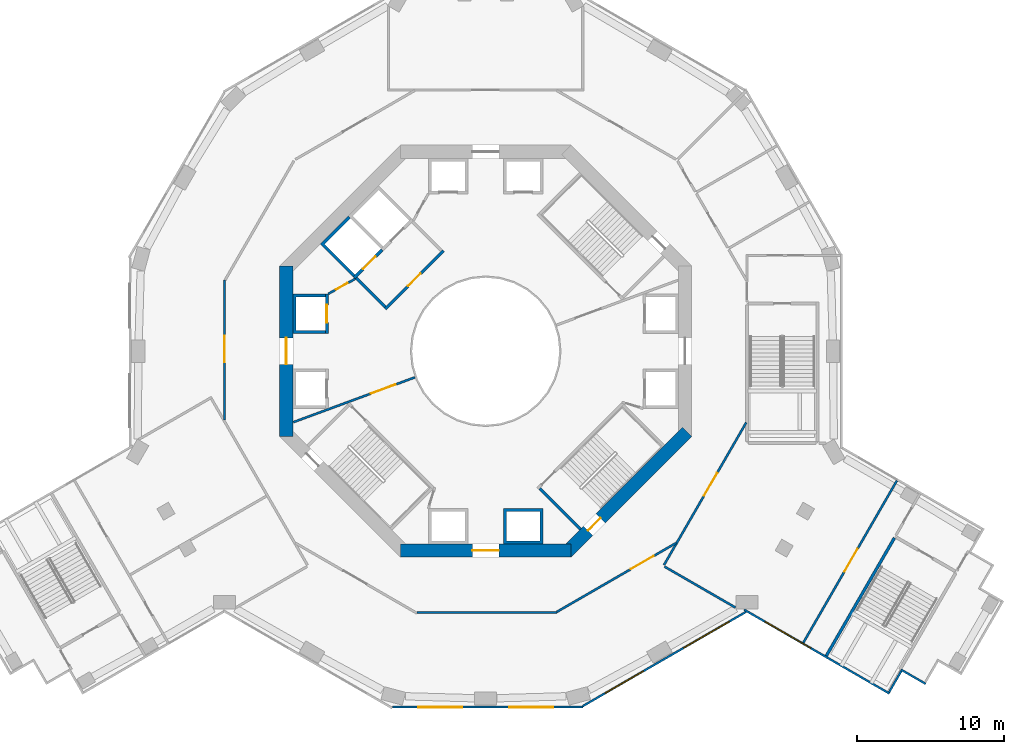
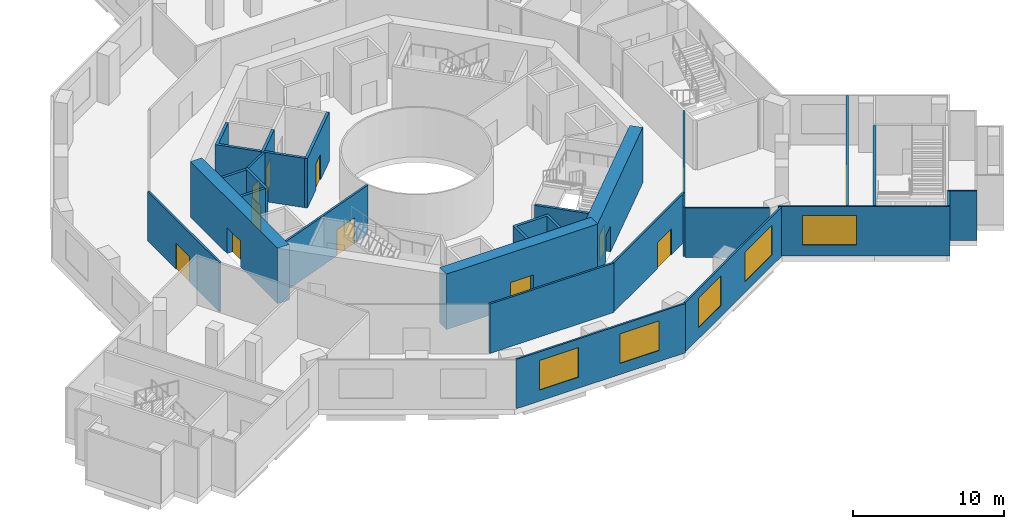
# One storey, part 4 of 20: 25 walls, 12 doors, 5 windows, 17 openings.
"""IFC4 building model written with IfcOpenShell, lengths in metres."""

from ifc_helpers import new_model, si_unit, direction, frame, frame_2d, origin, place, context, subcontext, project, spatial, polyline, rectangle, outline, extrude, material, layer, layer_set, type_object, element, fill, save


model = new_model("IFC4")

# Units and contexts
model_context = context("Model", 3, precision=1e-05, world=origin(), true_north=direction((0.0, 1.0)))
body_context = subcontext(model_context, "Body", "Model", "MODEL_VIEW")
ifc_project = project(units=[si_unit("LENGTHUNIT", "METRE"), si_unit("AREAUNIT", "SQUARE_METRE"), si_unit("VOLUMEUNIT", "CUBIC_METRE"), si_unit("PLANEANGLEUNIT", "RADIAN"), si_unit("MASSUNIT", "GRAM", prefix="KILO")], contexts=[model_context])

# Site, building, storey
site_placement = place(None, origin())
site = spatial("IfcSite", under=ifc_project, at=site_placement, CompositionType="ELEMENT")
building_placement = place(site_placement, origin())
building = spatial("IfcBuilding", under=site, at=building_placement, Name="Verdalira Terraces Hotel", CompositionType="ELEMENT")
storey_placement = place(building_placement, frame((0.0, 0.0, 23.5)))
storey = spatial("IfcBuildingStorey", under=building, at=storey_placement, Name="L04", CompositionType="ELEMENT", Elevation=23.5)

# Wall
ifc_material_1 = material(Name="Concrete C50", Category="concrete")
ifc_layer_1 = layer(ifc_material_1, 0.199951171875)
ifc_layer_set_1 = layer_set([ifc_layer_1], Name="Core RC wall 200 C50")
wall_type_1 = type_object("IfcWallType", Name="Core RC wall 200 C50", PredefinedType="SOLIDWALL", material=ifc_layer_set_1)
wall_1_placement = place(storey_placement, origin())
element("IfcWall", 1, at=wall_1_placement, inside=storey, type_object=wall_type_1, Name="L04 shaft wall W1", PredefinedType="SOLIDWALL", context=body_context, shape_type="SweptSolid", body=[
    extrude(outline(polyline([(-13.100098, 3.899902), (-10.899902, 3.899902), (-10.899902, 3.699951), (-12.899902, 3.699951), (-12.899902, 1.399902), (-10.899902, 1.399902), (-10.899902, 1.199951), (-13.100098, 1.199951), (-13.100098, 3.899902)])), origin(), (0.0, 0.0, 1.0), 4.0),
])

# Wall, opening, door
wall_2_placement = place(storey_placement, frame((-10.800049, 1.199951, 0.0), z_axis=(0.0, 0.0, 1.0), x_axis=(0.0, 1.0, 0.0)))
wall_2 = element("IfcWall", 2, at=wall_2_placement, inside=storey, type_object=wall_type_1, Name="L04 shaft front wall W1", PredefinedType="SOLIDWALL", context=body_context, shape_type="SweptSolid", body=[
    extrude(rectangle(XDim=2.699951, YDim=0.199951, at=frame_2d((1.350098, 0.0))), origin(), (0.0, 0.0, 1.0), 4.0),
])
opening_1_placement = place(wall_2_placement, frame((0.75, 0.0, 0.0)))
opening_1 = element("IfcOpeningElement", 3, at=opening_1_placement, cuts=wall_2, Name="Opening LD-L04-805", PredefinedType="OPENING", context=body_context, shape_type="SweptSolid", body=[
    extrude(rectangle(XDim=1.199951, YDim=2.100098, at=frame_2d((0.600098, 1.050049))), frame((0.0, 0.109863, 0.0), z_axis=(0.0, -1.0, 0.0), x_axis=(1.0, 0.0, 0.0)), (0.0, 0.0, 1.0), 0.219971),
])
ifc_material_2 = material(Name="Stainless steel", Category="steel")
door_type_1 = type_object("IfcDoorType", Name="Landing door 1200 x 2100", OperationType="NOTDEFINED", PredefinedType="DOOR", material=ifc_material_2)
door_1_placement = place(opening_1_placement, origin())
door_1 = element("IfcDoor", 4, at=door_1_placement, inside=storey, type_object=door_type_1, Name="Lift landing door LR5 L04", OperationType="DOUBLE_DOOR_SLIDING", OverallHeight=2.10009765625, OverallWidth=1.199951171875, PredefinedType="DOOR", context=body_context, shape_type="SweptSolid", body=[
    extrude(rectangle(XDim=1.199951, YDim=2.100098, at=frame_2d((0.600098, 1.050049))), frame((0.0, 0.024902, 0.0), z_axis=(0.0, -1.0, 0.0), x_axis=(1.0, 0.0, 0.0)), (0.0, 0.0, 1.0), 0.050049),
])
fill(opening_1, door_1)

# Walls
wall_3_placement = place(storey_placement, origin())
element("IfcWall", 5, at=wall_3_placement, inside=storey, type_object=wall_type_1, Name="L04 shaft wall S2", PredefinedType="SOLIDWALL", context=body_context, shape_type="SweptSolid", body=[
    extrude(outline(polyline([(3.899902, -10.699951), (3.899902, -13.100098), (1.199951, -13.100098), (1.199951, -10.699951), (3.899902, -10.699951)]), holes=[polyline([(1.399902, -12.899902), (3.699951, -12.899902), (3.699951, -10.899902), (1.399902, -10.899902), (1.399902, -12.899902)])]), origin(), (0.0, 0.0, 1.0), 4.0),
])
wall_4_placement = place(storey_placement, origin())
element("IfcWall", 6, at=wall_4_placement, inside=storey, type_object=wall_type_1, Name="L04 shaft wall F2", PredefinedType="SOLIDWALL", context=body_context, shape_type="SweptSolid", body=[
    extrude(outline(polyline([(-11.24292, 7.283203), (-9.33374, 9.192383), (-9.192383, 9.051025), (-10.960205, 7.283203), (-8.874268, 5.197266), (-9.015625, 5.055908), (-11.24292, 7.283203)])), origin(), (0.0, 0.0, 1.0), 4.0),
])

# Wall, opening, door
wall_5_placement = place(storey_placement, frame((-7.035645, 6.894287, 0.0), z_axis=(0.0, 0.0, 1.0), x_axis=(-0.707106781, -0.707106781, 0.0)))
wall_5 = element("IfcWall", 7, at=wall_5_placement, inside=storey, type_object=wall_type_1, Name="L04 shaft front wall F2", PredefinedType="SOLIDWALL", context=body_context, shape_type="SweptSolid", body=[
    extrude(rectangle(XDim=2.699951, YDim=0.199951, at=frame_2d((1.350098, 0.0))), origin(), (0.0, 0.0, 1.0), 4.0),
])
opening_2_placement = place(wall_5_placement, frame((0.649902, 0.0, 0.0)))
opening_2 = element("IfcOpeningElement", 8, at=opening_2_placement, cuts=wall_5, Name="Opening LD-L04-808", PredefinedType="OPENING", context=body_context, shape_type="SweptSolid", body=[
    extrude(rectangle(XDim=1.199951, YDim=2.100098, at=frame_2d((0.600098, 1.050049))), frame((0.0, 0.109863, 0.0), z_axis=(0.0, -1.0, 0.0), x_axis=(1.0, 0.0, 0.0)), (0.0, 0.0, 1.0), 0.219971),
])
door_2_placement = place(opening_2_placement, origin())
door_2 = element("IfcDoor", 9, at=door_2_placement, inside=storey, type_object=door_type_1, Name="Lift landing door LF12 L04", OperationType="DOUBLE_DOOR_SLIDING", OverallHeight=2.10009765625, OverallWidth=1.199951171875, PredefinedType="DOOR", context=body_context, shape_type="SweptSolid", body=[
    extrude(rectangle(XDim=1.199951, YDim=2.100098, at=frame_2d((0.600098, 1.050049))), frame((0.0, 0.024902, 0.0), z_axis=(0.0, -1.0, 0.0), x_axis=(1.0, 0.0, 0.0)), (0.0, 0.0, 1.0), 0.050049),
])
fill(opening_2, door_2)

# Wall
wall_6_placement = place(storey_placement, frame((3.677002, -9.33374, 0.0), z_axis=(0.0, 0.0, 1.0), x_axis=(0.707106781, -0.707106781, 0.0)))
element("IfcWall", 10, at=wall_6_placement, inside=storey, type_object=wall_type_1, Name="L04 stair ST3 end wall 1", PredefinedType="SOLIDWALL", context=body_context, shape_type="SweptSolid", body=[
    extrude(rectangle(XDim=3.900146, YDim=0.199951, at=frame_2d((1.950195, 0.0))), origin(), (0.0, 0.0, 1.0), 4.0),
])

# Wall, opening, door
wall_7_placement = place(storey_placement, frame((-2.86377, 6.823486, 0.0), z_axis=(0.0, 0.0, 1.0), x_axis=(-0.707106781, -0.707106781, 0.0)))
wall_7 = element("IfcWall", 11, at=wall_7_placement, inside=storey, type_object=wall_type_1, Name="L04 fire lobby wall", PredefinedType="SOLIDWALL", context=body_context, shape_type="SweptSolid", body=[
    extrude(rectangle(XDim=5.599854, YDim=0.199951, at=frame_2d((2.799805, 0.0))), origin(), (0.0, 0.0, 1.0), 4.0),
])
opening_3_placement = place(wall_7_placement, frame((2.199951, 0.0, 0.0)))
opening_3 = element("IfcOpeningElement", 12, at=opening_3_placement, cuts=wall_7, Name="Opening L04-819", PredefinedType="OPENING", context=body_context, shape_type="SweptSolid", body=[
    extrude(rectangle(XDim=1.199951, YDim=2.100098, at=frame_2d((0.600098, 1.050049))), frame((0.0, 0.109863, 0.0), z_axis=(0.0, -1.0, 0.0), x_axis=(1.0, 0.0, 0.0)), (0.0, 0.0, 1.0), 0.219971),
])
ifc_material_3 = material(Name="Steel fire door", Category="steel")
door_type_2 = type_object("IfcDoorType", Name="Lobby door 1200 x 2100", OperationType="NOTDEFINED", PredefinedType="DOOR", material=ifc_material_3)
door_3_placement = place(opening_3_placement, origin())
door_3 = element("IfcDoor", 13, at=door_3_placement, inside=storey, type_object=door_type_2, Name="Fire lobby door L04", OperationType="SINGLE_SWING_LEFT", OverallHeight=2.10009765625, OverallWidth=1.199951171875, PredefinedType="DOOR", context=body_context, shape_type="SweptSolid", body=[
    extrude(rectangle(XDim=1.199951, YDim=2.100098, at=frame_2d((0.600098, 1.050049))), frame((0.0, 0.024902, 0.0), z_axis=(0.0, -1.0, 0.0), x_axis=(1.0, 0.0, 0.0)), (0.0, 0.0, 1.0), 0.050049),
])
fill(opening_3, door_3)

# Wall
wall_8_placement = place(storey_placement, frame((-6.823486, 3.005127, 0.0), z_axis=(0.0, 0.0, 1.0), x_axis=(-0.707106781, 0.707106781, 0.0)))
element("IfcWall", 14, at=wall_8_placement, inside=storey, type_object=wall_type_1, Name="L04 fire lobby wall", PredefinedType="SOLIDWALL", context=body_context, shape_type="SweptSolid", body=[
    extrude(rectangle(XDim=2.800049, YDim=0.199951, at=frame_2d((1.399902, 0.0))), origin(), (0.0, 0.0, 1.0), 4.0),
])

# Wall, opening, door
ifc_material_4 = material(Name="Gypsum board partition")
ifc_layer_2 = layer(ifc_material_4, 0.14990234375)
ifc_layer_set_2 = layer_set([ifc_layer_2], Name="Core partition 150 mm")
wall_type_2 = type_object("IfcWallType", Name="Core partition 150 mm", PredefinedType="PARTITIONING", material=ifc_layer_set_2)
wall_9_placement = place(storey_placement, frame((-8.874268, 4.914307, 0.0), z_axis=(0.0, 0.0, 1.0), x_axis=(-0.874129705, -0.485692555, 0.0)))
wall_9 = element("IfcWall", 15, at=wall_9_placement, inside=storey, type_object=wall_type_2, Name="Room partition L04", PredefinedType="PARTITIONING", context=body_context, shape_type="SweptSolid", body=[
    extrude(rectangle(XDim=2.088623, YDim=0.149902, at=frame_2d((1.044434, 0.0))), origin(), (0.0, 0.0, 1.0), 4.0),
])
opening_4_placement = place(wall_9_placement, frame((0.594238, 0.0, 0.0)))
opening_4 = element("IfcOpeningElement", 16, at=opening_4_placement, cuts=wall_9, Name="Opening L04-821", PredefinedType="OPENING", context=body_context, shape_type="SweptSolid", body=[
    extrude(rectangle(XDim=0.899902, YDim=2.100098, at=frame_2d((0.449951, 1.050049))), frame((0.0, 0.084961, 0.0), z_axis=(0.0, -1.0, 0.0), x_axis=(1.0, 0.0, 0.0)), (0.0, 0.0, 1.0), 0.169922),
])
ifc_material_5 = material(Name="Steel fire door", Category="steel")
door_type_3 = type_object("IfcDoorType", Name="Core room door 900 x 2100", OperationType="NOTDEFINED", PredefinedType="DOOR", material=ifc_material_5)
door_4_placement = place(opening_4_placement, origin())
door_4 = element("IfcDoor", 17, at=door_4_placement, inside=storey, type_object=door_type_3, Name="Door L04 room3", OperationType="SINGLE_SWING_LEFT", OverallHeight=2.10009765625, OverallWidth=0.89990234375, PredefinedType="DOOR", context=body_context, shape_type="SweptSolid", body=[
    extrude(rectangle(XDim=0.899902, YDim=2.100098, at=frame_2d((0.449951, 1.050049))), frame((0.0, 0.024902, 0.0), z_axis=(0.0, -1.0, 0.0), x_axis=(1.0, 0.0, 0.0)), (0.0, 0.0, 1.0), 0.050049),
])
fill(opening_4, door_4)

wall_10_placement = place(storey_placement, frame((-4.812988, -1.775635, 0.0), z_axis=(0.0, 0.0, 1.0), x_axis=(-0.93819293, -0.346112737, 0.0)))
wall_10 = element("IfcWall", 18, at=wall_10_placement, inside=storey, type_object=wall_type_2, Name="Gallery fire partition L04", PredefinedType="PARTITIONING", context=body_context, shape_type="SweptSolid", body=[
    extrude(rectangle(XDim=8.803223, YDim=0.149902, at=frame_2d((4.401611, 0.0))), origin(), (0.0, 0.0, 1.0), 4.0),
])
opening_5_placement = place(wall_10_placement, frame((1.399902, 0.0, 0.0)))
opening_5 = element("IfcOpeningElement", 19, at=opening_5_placement, cuts=wall_10, Name="Opening L04-825", PredefinedType="OPENING", context=body_context, shape_type="SweptSolid", body=[
    extrude(rectangle(XDim=1.800049, YDim=2.100098, at=frame_2d((0.899902, 1.050049))), frame((0.0, 0.084961, 0.0), z_axis=(0.0, -1.0, 0.0), x_axis=(1.0, 0.0, 0.0)), (0.0, 0.0, 1.0), 0.169922),
])
ifc_material_6 = material(Name="Steel fire door", Category="steel")
door_type_4 = type_object("IfcDoorType", Name="Gallery fire door pair 1800 x 2100", OperationType="NOTDEFINED", PredefinedType="DOOR", material=ifc_material_6)
door_5_placement = place(opening_5_placement, origin())
door_5 = element("IfcDoor", 20, at=door_5_placement, inside=storey, type_object=door_type_4, Name="Door L04 split4", OperationType="DOUBLE_DOOR_SINGLE_SWING", OverallHeight=2.10009765625, OverallWidth=1.800048828125, PredefinedType="DOOR", context=body_context, shape_type="SweptSolid", body=[
    extrude(rectangle(XDim=1.800049, YDim=2.100098, at=frame_2d((0.899902, 1.050049))), frame((0.0, 0.024902, 0.0), z_axis=(0.0, -1.0, 0.0), x_axis=(1.0, 0.0, 0.0)), (0.0, 0.0, 1.0), 0.050049),
])
fill(opening_5, door_5)

ifc_material_7 = material(Name="Concrete C70", Category="concrete")
ifc_layer_3 = layer(ifc_material_7, 0.89990234375)
ifc_layer_set_3 = layer_set([ifc_layer_3], Name="Core wall 900 C70")
wall_type_3 = type_object("IfcWallType", Name="Core wall 900 C70", PredefinedType="SHEAR", material=ifc_layer_set_3)
wall_11_placement = place(storey_placement, frame((-13.550049, 5.799072, 0.0), z_axis=(0.0, 0.0, 1.0), x_axis=(0.0, -1.0, 0.0)))
wall_11 = element("IfcWall", 21, at=wall_11_placement, inside=storey, type_object=wall_type_3, Name="Core wall CW-L04-5", PredefinedType="SHEAR", context=body_context, shape_type="SweptSolid", body=[
    extrude(rectangle(XDim=11.598145, YDim=0.899902, at=frame_2d((5.799072, 0.0))), origin(), (0.0, 0.0, 1.0), 4.5),
])
opening_6_placement = place(wall_11_placement, frame((4.898926, 0.0, 0.0)))
opening_6 = element("IfcOpeningElement", 22, at=opening_6_placement, cuts=wall_11, Name="Opening L04-814", PredefinedType="OPENING", context=body_context, shape_type="SweptSolid", body=[
    extrude(rectangle(XDim=1.800049, YDim=2.100098, at=frame_2d((0.899902, 1.050049))), frame((0.0, 0.459961, 0.0), z_axis=(0.0, -1.0, 0.0), x_axis=(1.0, 0.0, 0.0)), (0.0, 0.0, 1.0), 0.919922),
])
ifc_material_8 = material(Name="Steel fire door", Category="steel")
door_type_5 = type_object("IfcDoorType", Name="Core entry door pair 1800 x 2100", OperationType="NOTDEFINED", PredefinedType="DOOR", material=ifc_material_8)
door_6_placement = place(opening_6_placement, origin())
door_6 = element("IfcDoor", 23, at=door_6_placement, inside=storey, type_object=door_type_5, Name="Core entry door L04 4", OperationType="DOUBLE_DOOR_SINGLE_SWING", OverallHeight=2.10009765625, OverallWidth=1.800048828125, PredefinedType="DOOR", context=body_context, shape_type="SweptSolid", body=[
    extrude(rectangle(XDim=1.800049, YDim=2.100098, at=frame_2d((0.899902, 1.050049))), frame((0.0, 0.024902, 0.0), z_axis=(0.0, -1.0, 0.0), x_axis=(1.0, 0.0, 0.0)), (0.0, 0.0, 1.0), 0.050049),
])
fill(opening_6, door_6)

wall_12_placement = place(storey_placement, frame((-5.799072, -13.550049, 0.0), z_axis=(0.0, 0.0, 1.0), x_axis=(1.0, 0.0, 0.0)))
wall_12 = element("IfcWall", 24, at=wall_12_placement, inside=storey, type_object=wall_type_3, Name="Core wall CW-L04-7", PredefinedType="SHEAR", context=body_context, shape_type="SweptSolid", body=[
    extrude(rectangle(XDim=11.598145, YDim=0.899902, at=frame_2d((5.799072, 0.0))), origin(), (0.0, 0.0, 1.0), 4.5),
])
opening_7_placement = place(wall_12_placement, frame((4.898926, 0.0, 0.0)))
opening_7 = element("IfcOpeningElement", 25, at=opening_7_placement, cuts=wall_12, Name="Opening L04-815", PredefinedType="OPENING", context=body_context, shape_type="SweptSolid", body=[
    extrude(rectangle(XDim=1.800049, YDim=2.100098, at=frame_2d((0.899902, 1.050049))), frame((0.0, 0.459961, 0.0), z_axis=(0.0, -1.0, 0.0), x_axis=(1.0, 0.0, 0.0)), (0.0, 0.0, 1.0), 0.919922),
])
door_7_placement = place(opening_7_placement, origin())
door_7 = element("IfcDoor", 26, at=door_7_placement, inside=storey, type_object=door_type_5, Name="Core entry door L04 6", OperationType="DOUBLE_DOOR_SINGLE_SWING", OverallHeight=2.10009765625, OverallWidth=1.800048828125, PredefinedType="DOOR", context=body_context, shape_type="SweptSolid", body=[
    extrude(rectangle(XDim=1.800049, YDim=2.100098, at=frame_2d((0.899902, 1.050049))), frame((0.0, 0.024902, 0.0), z_axis=(0.0, -1.0, 0.0), x_axis=(1.0, 0.0, 0.0)), (0.0, 0.0, 1.0), 0.050049),
])
fill(opening_7, door_7)

wall_13_placement = place(storey_placement, frame((5.480713, -13.681885, 0.0), z_axis=(0.0, 0.0, 1.0), x_axis=(0.707106781, 0.707106781, 0.0)))
wall_13 = element("IfcWall", 27, at=wall_13_placement, inside=storey, type_object=wall_type_3, Name="Core wall CW-L04-8", PredefinedType="SHEAR", context=body_context, shape_type="SweptSolid", body=[
    extrude(rectangle(XDim=11.598145, YDim=0.899902, at=frame_2d((5.799072, 0.0))), origin(), (0.0, 0.0, 1.0), 4.5),
])
opening_8_placement = place(wall_13_placement, frame((2.099121, 0.0, 0.0)))
opening_8 = element("IfcOpeningElement", 28, at=opening_8_placement, cuts=wall_13, Name="Opening L04-818", PredefinedType="OPENING", context=body_context, shape_type="SweptSolid", body=[
    extrude(rectangle(XDim=1.199951, YDim=2.100098, at=frame_2d((0.600098, 1.050049))), frame((0.0, 0.459961, 0.0), z_axis=(0.0, -1.0, 0.0), x_axis=(1.0, 0.0, 0.0)), (0.0, 0.0, 1.0), 0.919922),
])
ifc_material_9 = material(Name="Steel fire door", Category="steel")
door_type_6 = type_object("IfcDoorType", Name="Stair door 1200 x 2100", OperationType="NOTDEFINED", PredefinedType="DOOR", material=ifc_material_9)
door_8_placement = place(opening_8_placement, origin())
door_8 = element("IfcDoor", 29, at=door_8_placement, inside=storey, type_object=door_type_6, Name="Stair exit door ST3 L04", OperationType="SINGLE_SWING_LEFT", OverallHeight=2.10009765625, OverallWidth=1.199951171875, PredefinedType="DOOR", context=body_context, shape_type="SweptSolid", body=[
    extrude(rectangle(XDim=1.199951, YDim=2.100098, at=frame_2d((0.600098, 1.050049))), frame((0.0, 0.024902, 0.0), z_axis=(0.0, -1.0, 0.0), x_axis=(1.0, 0.0, 0.0)), (0.0, 0.0, 1.0), 0.050049),
])
fill(opening_8, door_8)

ifc_material_10 = material(Name="Gypsum board partition on steel stud", Category="steel")
ifc_layer_4 = layer(ifc_material_10, 0.14990234375)
ifc_layer_set_4 = layer_set([ifc_layer_4], Name="Fire-rated partition 150 mm")
wall_type_4 = type_object("IfcWallType", Name="Fire-rated partition 150 mm", PredefinedType="PARTITIONING", material=ifc_layer_set_4)
wall_14_placement = place(storey_placement, frame((-17.758301, 4.833252, 0.0), z_axis=(0.0, 0.0, 1.0), x_axis=(0.0, -1.0, 0.0)))
wall_14 = element("IfcWall", 30, at=wall_14_placement, inside=storey, type_object=wall_type_4, Name="Partition", PredefinedType="PARTITIONING", context=body_context, shape_type="SweptSolid", body=[
    extrude(rectangle(XDim=9.516602, YDim=0.149902, at=frame_2d((4.758301, 0.0))), origin(), (0.0, 0.0, 1.0), 4.0),
])
opening_9_placement = place(wall_14_placement, frame((3.766602, 0.0, 0.0)))
opening_9 = element("IfcOpeningElement", 31, at=opening_9_placement, cuts=wall_14, Name="Opening L04-D06", PredefinedType="OPENING", context=body_context, shape_type="SweptSolid", body=[
    extrude(rectangle(XDim=1.800049, YDim=2.100098, at=frame_2d((0.899902, 1.050049))), frame((0.0, 0.084961, 0.0), z_axis=(0.0, -1.0, 0.0), x_axis=(1.0, 0.0, 0.0)), (0.0, 0.0, 1.0), 0.169922),
])
ifc_material_11 = material(Name="Steel fire door", Category="steel")
door_type_7 = type_object("IfcDoorType", Name="Fire door pair 1800 x 2100", OperationType="DOUBLE_DOOR_SINGLE_SWING", PredefinedType="DOOR", material=ifc_material_11)
door_9_placement = place(opening_9_placement, origin())
door_9 = element("IfcDoor", 32, at=door_9_placement, inside=storey, type_object=door_type_7, Name="Ring corridor door", OperationType="DOUBLE_DOOR_SINGLE_SWING", OverallHeight=2.10009765625, OverallWidth=1.800048828125, PredefinedType="DOOR", context=body_context, shape_type="SweptSolid", body=[
    extrude(rectangle(XDim=1.800049, YDim=2.100098, at=frame_2d((0.899902, 1.050049))), frame((0.0, 0.024902, 0.0), z_axis=(0.0, -1.0, 0.0), x_axis=(1.0, 0.0, 0.0)), (0.0, 0.0, 1.0), 0.050049),
])
fill(opening_9, door_9)

# Walls
wall_15_placement = place(storey_placement, frame((4.833252, -17.758301, 0.0), z_axis=(0.0, 0.0, 1.0), x_axis=(-1.0, 0.0, 0.0)))
element("IfcWall", 33, at=wall_15_placement, inside=storey, type_object=wall_type_4, Name="Partition", PredefinedType="PARTITIONING", context=body_context, shape_type="SweptSolid", body=[
    extrude(rectangle(XDim=9.516602, YDim=0.149902, at=frame_2d((4.758301, 0.0))), origin(), (0.0, 0.0, 1.0), 4.0),
])
wall_16_placement = place(storey_placement, frame((12.144287, -14.632568, 0.0), z_axis=(0.0, 0.0, 1.0), x_axis=(0.866016603, -0.500015243, 0.0)))
element("IfcWall", 34, at=wall_16_placement, inside=storey, type_object=wall_type_4, Name="Partition", PredefinedType="PARTITIONING", context=body_context, shape_type="SweptSolid", body=[
    extrude(rectangle(XDim=5.581787, YDim=0.149902, at=frame_2d((2.791016, 0.0))), origin(), (0.0, 0.0, 1.0), 4.0),
])

# Wall, opening, door
wall_17_placement = place(storey_placement, frame((4.823242, -17.720703, 0.0), z_axis=(0.0, 0.0, 1.0), x_axis=(0.866037142, 0.499979668, 0.0)))
wall_17 = element("IfcWall", 35, at=wall_17_placement, inside=storey, type_object=wall_type_4, Name="Partition", PredefinedType="PARTITIONING", context=body_context, shape_type="SweptSolid", body=[
    extrude(rectangle(XDim=9.366699, YDim=0.149902, at=frame_2d((4.68335, 0.0))), origin(), (0.0, 0.0, 1.0), 4.0),
])
opening_10_placement = place(wall_17_placement, frame((5.81665, 0.0, 0.0)))
opening_10 = element("IfcOpeningElement", 36, at=opening_10_placement, cuts=wall_17, Name="Opening L04-D15", PredefinedType="OPENING", context=body_context, shape_type="SweptSolid", body=[
    extrude(rectangle(XDim=1.800049, YDim=2.100098, at=frame_2d((0.899902, 1.050049))), frame((0.0, 0.084961, 0.0), z_axis=(0.0, -1.0, 0.0), x_axis=(1.0, 0.0, 0.0)), (0.0, 0.0, 1.0), 0.169922),
])
door_10_placement = place(opening_10_placement, origin())
door_10 = element("IfcDoor", 37, at=door_10_placement, inside=storey, type_object=door_type_7, Name="Ring corridor door", OperationType="DOUBLE_DOOR_SINGLE_SWING", OverallHeight=2.10009765625, OverallWidth=1.800048828125, PredefinedType="DOOR", context=body_context, shape_type="SweptSolid", body=[
    extrude(rectangle(XDim=1.800049, YDim=2.100098, at=frame_2d((0.899902, 1.050049))), frame((0.0, 0.024902, 0.0), z_axis=(0.0, -1.0, 0.0), x_axis=(1.0, 0.0, 0.0)), (0.0, 0.0, 1.0), 0.050049),
])
fill(opening_10, door_10)

wall_18_placement = place(storey_placement, frame((12.116699, -14.529785, 0.0), z_axis=(0.0, 0.0, 1.0), x_axis=(0.500001509, 0.866024532, 0.0)))
wall_18 = element("IfcWall", 38, at=wall_18_placement, inside=storey, type_object=wall_type_4, Name="Partition", PredefinedType="PARTITIONING", context=body_context, shape_type="SweptSolid", body=[
    extrude(rectangle(XDim=11.183105, YDim=0.149902, at=frame_2d((5.591553, 0.0))), origin(), (0.0, 0.0, 1.0), 4.0),
])
opening_11_placement = place(wall_18_placement, frame((5.433105, 0.0, 0.0)))
opening_11 = element("IfcOpeningElement", 39, at=opening_11_placement, cuts=wall_18, Name="Opening L04-D18", PredefinedType="OPENING", context=body_context, shape_type="SweptSolid", body=[
    extrude(rectangle(XDim=1.800049, YDim=2.100098, at=frame_2d((0.899902, 1.050049))), frame((0.0, 0.084961, 0.0), z_axis=(0.0, -1.0, 0.0), x_axis=(1.0, 0.0, 0.0)), (0.0, 0.0, 1.0), 0.169922),
])
door_11_placement = place(opening_11_placement, origin())
door_11 = element("IfcDoor", 40, at=door_11_placement, inside=storey, type_object=door_type_7, Name="Ring corridor door", OperationType="DOUBLE_DOOR_SINGLE_SWING", OverallHeight=2.10009765625, OverallWidth=1.800048828125, PredefinedType="DOOR", context=body_context, shape_type="SweptSolid", body=[
    extrude(rectangle(XDim=1.800049, YDim=2.100098, at=frame_2d((0.899902, 1.050049))), frame((0.0, 0.024902, 0.0), z_axis=(0.0, -1.0, 0.0), x_axis=(1.0, 0.0, 0.0)), (0.0, 0.0, 1.0), 0.050049),
])
fill(opening_11, door_11)

wall_19_placement = place(storey_placement, frame((27.948242, -8.791992, 0.0), z_axis=(0.0, 0.0, 1.0), x_axis=(-0.499991053, -0.866030569, 0.0)))
wall_19 = element("IfcWall", 41, at=wall_19_placement, inside=storey, type_object=wall_type_4, Name="Partition", PredefinedType="PARTITIONING", context=body_context, shape_type="SweptSolid", body=[
    extrude(rectangle(XDim=12.719971, YDim=0.149902, at=frame_2d((6.359863, 0.0))), origin(), (0.0, 0.0, 1.0), 4.0),
])
opening_12_placement = place(wall_19_placement, frame((5.350098, 0.0, 0.0)))
opening_12 = element("IfcOpeningElement", 42, at=opening_12_placement, cuts=wall_19, Name="Opening L04-D23", PredefinedType="OPENING", context=body_context, shape_type="SweptSolid", body=[
    extrude(rectangle(XDim=1.800049, YDim=2.100098, at=frame_2d((0.899902, 1.050049))), frame((0.0, 0.084961, 0.0), z_axis=(0.0, -1.0, 0.0), x_axis=(1.0, 0.0, 0.0)), (0.0, 0.0, 1.0), 0.169922),
])
door_12_placement = place(opening_12_placement, origin())
door_12 = element("IfcDoor", 43, at=door_12_placement, inside=storey, type_object=door_type_7, Name="Stair approach corridor door", OperationType="DOUBLE_DOOR_SINGLE_SWING", OverallHeight=2.10009765625, OverallWidth=1.800048828125, PredefinedType="DOOR", context=body_context, shape_type="SweptSolid", body=[
    extrude(rectangle(XDim=1.800049, YDim=2.100098, at=frame_2d((0.899902, 1.050049))), frame((0.0, 0.024902, 0.0), z_axis=(0.0, -1.0, 0.0), x_axis=(1.0, 0.0, 0.0)), (0.0, 0.0, 1.0), 0.050049),
])
fill(opening_12, door_12)

# Wall
ifc_material_12 = material(Name="Concrete C50", Category="concrete")
ifc_layer_5 = layer(ifc_material_12, 0.199951171875)
ifc_layer_set_5 = layer_set([ifc_layer_5], Name="Stair enclosure wall 200 mm")
wall_type_5 = type_object("IfcWallType", Name="Stair enclosure wall 200 mm", PredefinedType="SOLIDWALL", material=ifc_layer_set_5)
wall_20_placement = place(storey_placement, frame((27.777344, -12.688477, 0.0), z_axis=(0.0, 0.0, 1.0), x_axis=(-0.500003922, -0.866023139, 0.0)))
element("IfcWall", 44, at=wall_20_placement, inside=storey, type_object=wall_type_5, Name="Stair enclosure wall", PredefinedType="SOLIDWALL", context=body_context, shape_type="SweptSolid", body=[
    extrude(rectangle(XDim=9.260254, YDim=0.199951, at=frame_2d((4.630127, 0.0))), origin(), (0.0, 0.0, 1.0), 4.0),
])

# Wall, opening, window
ifc_material_13 = material(Name="Concrete C40", Category="concrete")
ifc_layer_6 = layer(ifc_material_13, 0.139892578125)
ifc_layer_set_6 = layer_set([ifc_layer_6], Name="Terracotta clad concrete wall C40 140 mm")
wall_type_6 = type_object("IfcWallType", Name="Terracotta clad concrete wall C40 140 mm", PredefinedType="SOLIDWALL", material=ifc_layer_set_6)
wall_21_placement = place(storey_placement, frame((17.56543, -17.566162, 0.0), z_axis=(0.0, 0.0, 1.0), x_axis=(0.866028022, -0.499995465, 0.0)))
wall_21 = element("IfcWall", 45, at=wall_21_placement, inside=storey, type_object=wall_type_6, Name="Podium facade wall", PredefinedType="SOLIDWALL", context=body_context, shape_type="SweptSolid", body=[
    extrude(rectangle(XDim=11.404785, YDim=0.139893, at=frame_2d((5.702393, 0.0))), origin(), (0.0, 0.0, 1.0), 4.0),
])
opening_13_placement = place(wall_21_placement, frame((1.623047, 0.0, 0.899902)))
opening_13 = element("IfcOpeningElement", 46, at=opening_13_placement, cuts=wall_21, Name="Opening WP", PredefinedType="OPENING", context=body_context, shape_type="SweptSolid", body=[
    extrude(rectangle(XDim=3.600098, YDim=2.399902, at=frame_2d((1.800049, 1.199951))), frame((0.0, 0.079834, 0.0), z_axis=(0.0, -1.0, 0.0), x_axis=(1.0, 0.0, 0.0)), (0.0, 0.0, 1.0), 0.159912),
])
ifc_material_14 = material(Name="Clear double glazing in aluminium frame", Category="aluminium")
window_type_1 = type_object("IfcWindowType", Name="Podium window 3600 x 2400", PartitioningType="SINGLE_PANEL", PredefinedType="WINDOW", material=ifc_material_14)
window_1_placement = place(opening_13_placement, origin())
window_1 = element("IfcWindow", 47, at=window_1_placement, inside=storey, type_object=window_type_1, Name="Podium window", OverallHeight=2.39990234375, OverallWidth=3.60009765625, PartitioningType="SINGLE_PANEL", PredefinedType="WINDOW", context=body_context, shape_type="SweptSolid", body=[
    extrude(rectangle(XDim=3.600098, YDim=2.399902, at=frame_2d((1.800049, 1.199951))), frame((0.0, 0.030029, 0.0), z_axis=(0.0, -1.0, 0.0), x_axis=(1.0, 0.0, 0.0)), (0.0, 0.0, 1.0), 0.060059),
])
fill(opening_13, window_1)

# Walls
wall_22_placement = place(storey_placement, frame((27.416748, -23.172852, 0.0), z_axis=(0.0, 0.0, 1.0), x_axis=(0.499951638, 0.866053324, 0.0)))
element("IfcWall", 48, at=wall_22_placement, inside=storey, type_object=wall_type_6, Name="Podium facade wall", PredefinedType="SOLIDWALL", context=body_context, shape_type="SweptSolid", body=[
    extrude(rectangle(XDim=1.659912, YDim=0.139893, at=frame_2d((0.830078, 0.0))), origin(), (0.0, 0.0, 1.0), 4.0),
])
wall_23_placement = place(storey_placement, frame((28.221191, -21.639648, 0.0), z_axis=(0.0, 0.0, 1.0), x_axis=(0.866011627, -0.500023862, 0.0)))
element("IfcWall", 49, at=wall_23_placement, inside=storey, type_object=wall_type_6, Name="Podium facade wall", PredefinedType="SOLIDWALL", context=body_context, shape_type="SweptSolid", body=[
    extrude(rectangle(XDim=1.939941, YDim=0.139893, at=frame_2d((0.969971, 0.0))), origin(), (0.0, 0.0, 1.0), 4.0),
])

# Wall, openings, windows
ifc_material_15 = material(Name="Terracotta cladding on steel stud backup", Category="masonry")
ifc_layer_7 = layer(ifc_material_15, 0.139892578125)
ifc_layer_set_7 = layer_set([ifc_layer_7], Name="Terracotta clad wall 140 mm")
wall_type_7 = type_object("IfcWallType", Name="Terracotta clad wall 140 mm", PredefinedType="SOLIDWALL", material=ifc_layer_set_7)
wall_24_placement = place(storey_placement, frame((-6.341309, -24.188232, 0.0), z_axis=(0.0, 0.0, 1.0), x_axis=(1.0, 0.0, 0.0)))
wall_24 = element("IfcWall", 50, at=wall_24_placement, inside=storey, type_object=wall_type_7, Name="Podium facade wall", PredefinedType="SOLIDWALL", context=body_context, shape_type="SweptSolid", body=[
    extrude(rectangle(XDim=12.962402, YDim=0.139893, at=frame_2d((6.481201, 0.0))), origin(), (0.0, 0.0, 1.0), 4.0),
])
opening_14_placement = place(wall_24_placement, frame((1.747803, 0.0, 0.899902)))
opening_14 = element("IfcOpeningElement", 51, at=opening_14_placement, cuts=wall_24, Name="Opening WP", PredefinedType="OPENING", context=body_context, shape_type="SweptSolid", body=[
    extrude(rectangle(XDim=3.0, YDim=2.399902, at=frame_2d((1.5, 1.199951))), frame((0.0, 0.079834, 0.0), z_axis=(0.0, -1.0, 0.0), x_axis=(1.0, 0.0, 0.0)), (0.0, 0.0, 1.0), 0.159912),
])
opening_15_placement = place(wall_24_placement, frame((7.93457, 0.0, 0.899902)))
opening_15 = element("IfcOpeningElement", 52, at=opening_15_placement, cuts=wall_24, Name="Opening WP", PredefinedType="OPENING", context=body_context, shape_type="SweptSolid", body=[
    extrude(rectangle(XDim=3.0, YDim=2.399902, at=frame_2d((1.5, 1.199951))), frame((0.0, 0.079834, 0.0), z_axis=(0.0, -1.0, 0.0), x_axis=(1.0, 0.0, 0.0)), (0.0, 0.0, 1.0), 0.159912),
])
ifc_material_16 = material(Name="Clear double glazing in aluminium frame", Category="aluminium")
window_type_2 = type_object("IfcWindowType", Name="Podium window 3000 x 2400", PartitioningType="SINGLE_PANEL", PredefinedType="WINDOW", material=ifc_material_16)
window_2_placement = place(opening_14_placement, origin())
window_2 = element("IfcWindow", 53, at=window_2_placement, inside=storey, type_object=window_type_2, Name="Podium window", OverallHeight=2.39990234375, OverallWidth=3.0, PartitioningType="SINGLE_PANEL", PredefinedType="WINDOW", context=body_context, shape_type="SweptSolid", body=[
    extrude(rectangle(XDim=3.0, YDim=2.399902, at=frame_2d((1.5, 1.199951))), frame((0.0, 0.030029, 0.0), z_axis=(0.0, -1.0, 0.0), x_axis=(1.0, 0.0, 0.0)), (0.0, 0.0, 1.0), 0.060059),
])
fill(opening_14, window_2)
window_3_placement = place(opening_15_placement, origin())
window_3 = element("IfcWindow", 54, at=window_3_placement, inside=storey, type_object=window_type_2, Name="Podium window", OverallHeight=2.39990234375, OverallWidth=3.0, PartitioningType="SINGLE_PANEL", PredefinedType="WINDOW", context=body_context, shape_type="SweptSolid", body=[
    extrude(rectangle(XDim=3.0, YDim=2.399902, at=frame_2d((1.5, 1.199951))), frame((0.0, 0.030029, 0.0), z_axis=(0.0, -1.0, 0.0), x_axis=(1.0, 0.0, 0.0)), (0.0, 0.0, 1.0), 0.060059),
])
fill(opening_15, window_3)

wall_25_placement = place(storey_placement, frame((6.602539, -24.118408, 0.0), z_axis=(0.0, 0.0, 1.0), x_axis=(0.866023287, 0.500003667, 0.0)))
wall_25 = element("IfcWall", 55, at=wall_25_placement, inside=storey, type_object=wall_type_7, Name="Podium facade wall", PredefinedType="SOLIDWALL", context=body_context, shape_type="SweptSolid", body=[
    extrude(rectangle(XDim=12.800781, YDim=0.139893, at=frame_2d((6.400391, 0.0))), origin(), (0.0, 0.0, 1.0), 4.0),
])
opening_16_placement = place(wall_25_placement, frame((1.747803, 0.0, 0.899902)))
opening_16 = element("IfcOpeningElement", 56, at=opening_16_placement, cuts=wall_25, Name="Opening WP", PredefinedType="OPENING", context=body_context, shape_type="SweptSolid", body=[
    extrude(rectangle(XDim=3.0, YDim=2.399902, at=frame_2d((1.5, 1.199951))), frame((0.0, 0.079834, 0.0), z_axis=(0.0, -1.0, 0.0), x_axis=(1.0, 0.0, 0.0)), (0.0, 0.0, 1.0), 0.159912),
])
opening_17_placement = place(wall_25_placement, frame((7.9021, 0.0, 0.899902)))
opening_17 = element("IfcOpeningElement", 57, at=opening_17_placement, cuts=wall_25, Name="Opening WP", PredefinedType="OPENING", context=body_context, shape_type="SweptSolid", body=[
    extrude(rectangle(XDim=3.600098, YDim=2.399902, at=frame_2d((1.800049, 1.199951))), frame((0.0, 0.079834, 0.0), z_axis=(0.0, -1.0, 0.0), x_axis=(1.0, 0.0, 0.0)), (0.0, 0.0, 1.0), 0.159912),
])
window_4_placement = place(opening_16_placement, origin())
window_4 = element("IfcWindow", 58, at=window_4_placement, inside=storey, type_object=window_type_2, Name="Podium window", OverallHeight=2.39990234375, OverallWidth=3.0, PartitioningType="SINGLE_PANEL", PredefinedType="WINDOW", context=body_context, shape_type="SweptSolid", body=[
    extrude(rectangle(XDim=3.0, YDim=2.399902, at=frame_2d((1.5, 1.199951))), frame((0.0, 0.030029, 0.0), z_axis=(0.0, -1.0, 0.0), x_axis=(1.0, 0.0, 0.0)), (0.0, 0.0, 1.0), 0.060059),
])
fill(opening_16, window_4)
window_5_placement = place(opening_17_placement, origin())
window_5 = element("IfcWindow", 59, at=window_5_placement, inside=storey, type_object=window_type_1, Name="Podium window", OverallHeight=2.39990234375, OverallWidth=3.60009765625, PartitioningType="SINGLE_PANEL", PredefinedType="WINDOW", context=body_context, shape_type="SweptSolid", body=[
    extrude(rectangle(XDim=3.600098, YDim=2.399902, at=frame_2d((1.800049, 1.199951))), frame((0.0, 0.030029, 0.0), z_axis=(0.0, -1.0, 0.0), x_axis=(1.0, 0.0, 0.0)), (0.0, 0.0, 1.0), 0.060059),
])
fill(opening_17, window_5)

save(model, "model.ifc")
